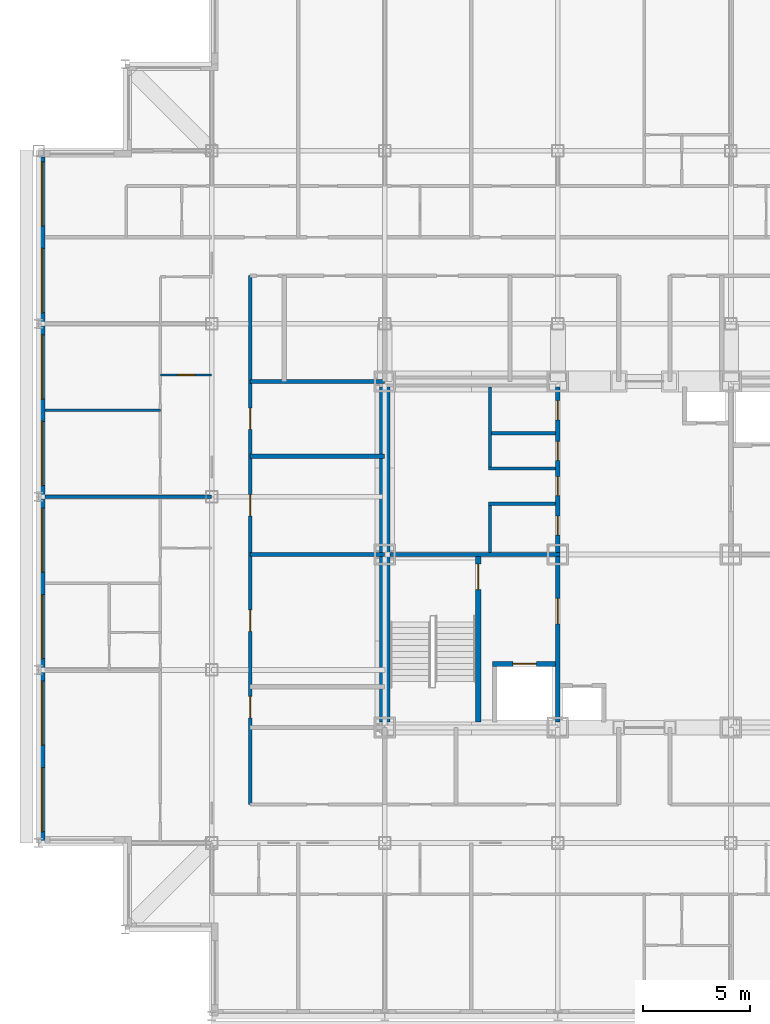
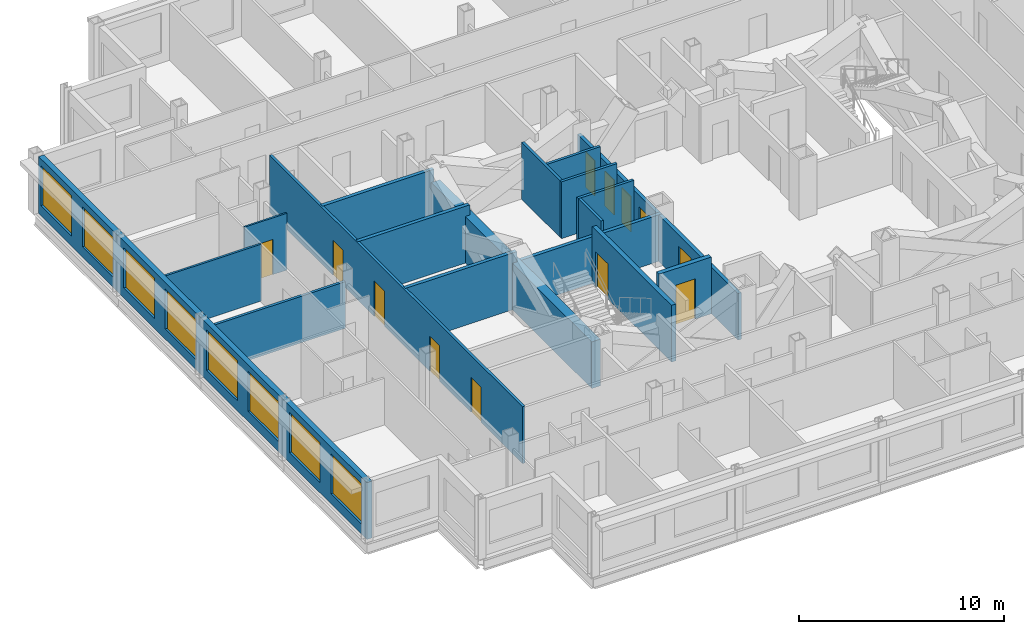
# One storey, part 6 of 12: 19 walls, 12 doors, 8 windows, 20 openings.
"""IFC4 building model written with IfcOpenShell, lengths in metres."""

from ifc_helpers import new_model, si_unit, direction, frame, frame_2d, origin, place, context, subcontext, project, spatial, rectangle, extrude, material, layer, layer_set, type_object, element, fill, save


model = new_model("IFC4")

# Units and contexts
model_context = context("Model", 3, precision=1e-05, world=origin(), true_north=direction((0.0, 1.0)))
body_context = subcontext(model_context, "Body", "Model", "MODEL_VIEW")
ifc_project = project(units=[si_unit("LENGTHUNIT", "METRE"), si_unit("AREAUNIT", "SQUARE_METRE"), si_unit("VOLUMEUNIT", "CUBIC_METRE"), si_unit("PLANEANGLEUNIT", "RADIAN"), si_unit("MASSUNIT", "GRAM", prefix="KILO")], contexts=[model_context])

# Site, building, storey
site_placement = place(None, origin())
site = spatial("IfcSite", under=ifc_project, at=site_placement, CompositionType="ELEMENT")
building_placement = place(site_placement, origin())
building = spatial("IfcBuilding", under=site, at=building_placement, Name="Kopane Lantern Tower", CompositionType="ELEMENT")
storey_placement = place(building_placement, frame((0.0, 0.0, 202.800048828125)))
storey = spatial("IfcBuildingStorey", under=building, at=storey_placement, Name="L52", CompositionType="ELEMENT", Elevation=202.800048828125)

# Wall
ifc_material_1 = material(Name="Gypsum board on steel studs", Category="steel")
ifc_layer_1 = layer(ifc_material_1, 0.1201171875)
ifc_layer_set_1 = layer_set([ifc_layer_1], Name="APARTMENT INTERNAL WALL 120")
wall_type_1 = type_object("IfcWallType", Name="APARTMENT INTERNAL WALL 120", PredefinedType="PARTITIONING", material=ifc_layer_set_1)
wall_1_placement = place(storey_placement, frame((5.699951171875, 39.14990234375, 0.0), z_axis=(0.0, 0.0, 1.0), x_axis=(-1.0, 0.0, 0.0)))
element("IfcWall", 1, at=wall_1_placement, inside=storey, type_object=wall_type_1, Name="Apartment Internal Wall 120 L52", PredefinedType="PARTITIONING", context=body_context, shape_type="SweptSolid", body=[
    extrude(rectangle(XDim=5.39990234375, YDim=0.1201171875, at=frame_2d((2.699951171875, 0.0))), origin(), (0.0, 0.0, 1.0), 3.389892578125),
])

# Wall, opening, door
ifc_material_2 = material(Name="Moisture-resistant board on steel studs", Category="steel")
ifc_layer_2 = layer(ifc_material_2, 0.10009765625)
ifc_layer_set_2 = layer_set([ifc_layer_2], Name="BATHROOM WALL 100")
wall_type_2 = type_object("IfcWallType", Name="BATHROOM WALL 100", PredefinedType="PARTITIONING", material=ifc_layer_set_2)
wall_2_placement = place(storey_placement, frame((8.10009765625, 40.800048828125, 0.0), z_axis=(0.0, 0.0, 1.0), x_axis=(-1.0, 0.0, 0.0)))
wall_2 = element("IfcWall", 2, at=wall_2_placement, inside=storey, type_object=wall_type_2, Name="Bathroom Wall 100 L52", PredefinedType="PARTITIONING", context=body_context, shape_type="SweptSolid", body=[
    extrude(rectangle(XDim=2.400146484375, YDim=0.10009765625, at=frame_2d((1.2001953125, 0.0))), origin(), (0.0, 0.0, 1.0), 3.389892578125),
])
opening_1_placement = place(wall_2_placement, frame((0.800048828125, 0.0, 0.0)))
opening_1 = element("IfcOpeningElement", 3, at=opening_1_placement, cuts=wall_2, Name="Opening L52-047", PredefinedType="OPENING", context=body_context, shape_type="SweptSolid", body=[
    extrude(rectangle(XDim=0.800048828125, YDim=2.10009765625, at=frame_2d((0.39990234375, 1.050048828125))), frame((0.0, 0.06005859375, 0.0), z_axis=(0.0, -1.0, 0.0), x_axis=(1.0, 0.0, 0.0)), (0.0, 0.0, 1.0), 0.1201171875),
])
ifc_material_3 = material(Name="Timber door set", Category="wood")
door_type_1 = type_object("IfcDoorType", Name="DOOR D2 800x2100", OperationType="SINGLE_SWING_LEFT", PredefinedType="DOOR", material=ifc_material_3)
door_1_placement = place(opening_1_placement, origin())
door_1 = element("IfcDoor", 4, at=door_1_placement, inside=storey, type_object=door_type_1, Name="Door L52-047", OperationType="SINGLE_SWING_RIGHT", OverallHeight=2.10009765625, OverallWidth=0.800048828125, PredefinedType="DOOR", context=body_context, shape_type="SweptSolid", body=[
    extrude(rectangle(XDim=0.800048828125, YDim=2.10009765625, at=frame_2d((0.39990234375, 1.050048828125))), frame((0.0, 0.02490234375, 0.0), z_axis=(0.0, -1.0, 0.0), x_axis=(1.0, 0.0, 0.0)), (0.0, 0.0, 1.0), 0.050048828125),
])
fill(opening_1, door_1)

# Walls
ifc_material_4 = material(Name="Gypsum shaft wall EI 120", Category="gypsum")
ifc_layer_3 = layer(ifc_material_4, 0.5)
ifc_layer_set_3 = layer_set([ifc_layer_3], Name="CORE PERIMETER WALL 500 EI 120")
wall_type_3 = type_object("IfcWallType", Name="CORE PERIMETER WALL 500 EI 120", PredefinedType="SOLIDWALL", material=ifc_layer_set_3)
wall_3_placement = place(storey_placement, frame((16.199951171875, 24.550048828125, 0.0), z_axis=(0.0, 0.0, 1.0), x_axis=(0.0, 1.0, 0.0)))
element("IfcWall", 5, at=wall_3_placement, inside=storey, type_object=wall_type_3, Name="Core shaft wall L52 PW", PredefinedType="SOLIDWALL", context=body_context, shape_type="SweptSolid", body=[
    extrude(rectangle(XDim=15.699951171875, YDim=0.5, at=frame_2d((7.85009765625, 0.0))), origin(), (0.0, 0.0, 1.0), 2.77783203125),
])
ifc_material_5 = material(Name="Gypsum partition EI 60", Category="gypsum")
ifc_layer_4 = layer(ifc_material_5, 0.14990234375)
ifc_layer_set_4 = layer_set([ifc_layer_4], Name="CORE ROOM PARTITION 150 EI 60")
wall_type_4 = type_object("IfcWallType", Name="CORE ROOM PARTITION 150 EI 60", PredefinedType="PARTITIONING", material=ifc_layer_set_4)
for number, where, z_axis, x_axis, name in (
    (6, (21.050048828125, 34.77490234375, 0.0), (0.0, 0.0, 1.0), (1.0, 0.0, 0.0), "Core room partition L52 WW1"),
    (7, (21.050048828125, 36.425048828125, 0.0), (0.0, 0.0, 1.0), (1.0, 0.0, 0.0), "Core room partition L52 WW2"),
):
    element("IfcWall", number, at=place(storey_placement, frame(where, z_axis=z_axis, x_axis=x_axis)), inside=storey, type_object=wall_type_4, Name=name, PredefinedType="PARTITIONING", context=body_context, shape_type="SweptSolid", body=[
        extrude(rectangle(XDim=3.14990234375, YDim=0.14990234375, at=frame_2d((1.574951171875, 0.0))), origin(), (0.0, 0.0, 1.0), 3.389892578125),
    ])
wall_4_placement = place(storey_placement, frame((21.199951171875, 38.074951171875, 0.0), z_axis=(0.0, 0.0, 1.0), x_axis=(1.0, 0.0, 0.0)))
element("IfcWall", 8, at=wall_4_placement, inside=storey, type_object=wall_type_4, Name="Core room partition L52 WW3", PredefinedType="PARTITIONING", context=body_context, shape_type="SweptSolid", body=[
    extrude(rectangle(XDim=3.0, YDim=0.14990234375, at=frame_2d((1.5, 0.0))), origin(), (0.0, 0.0, 1.0), 3.389892578125),
])
wall_5_placement = place(storey_placement, frame((21.125, 32.5, 0.0), z_axis=(0.0, 0.0, 1.0), x_axis=(0.0, 1.0, 0.0)))
element("IfcWall", 9, at=wall_5_placement, inside=storey, type_object=wall_type_4, Name="Core room partition L52 WWB0", PredefinedType="PARTITIONING", context=body_context, shape_type="SweptSolid", body=[
    extrude(rectangle(XDim=2.199951171875, YDim=0.14990234375, at=frame_2d((1.10009765625, 0.0))), origin(), (0.0, 0.0, 1.0), 3.389892578125),
])
wall_6_placement = place(storey_placement, frame((21.125, 36.5, 0.0), z_axis=(0.0, 0.0, 1.0), x_axis=(0.0, 1.0, 0.0)))
element("IfcWall", 10, at=wall_6_placement, inside=storey, type_object=wall_type_4, Name="Core room partition L52 WWB1", PredefinedType="PARTITIONING", context=body_context, shape_type="SweptSolid", body=[
    extrude(rectangle(XDim=3.75, YDim=0.14990234375, at=frame_2d((1.875, 0.0))), origin(), (0.0, 0.0, 1.0), 3.389892578125),
])

# Wall, openings, doors
ifc_material_6 = material(Name="Gypsum partition EI 60", Category="gypsum")
ifc_layer_5 = layer(ifc_material_6, 0.199951171875)
ifc_layer_set_5 = layer_set([ifc_layer_5], Name="CORE ROOM WALL 200 EI 60")
wall_type_5 = type_object("IfcWallType", Name="CORE ROOM WALL 200 EI 60", PredefinedType="PARTITIONING", material=ifc_layer_set_5)
wall_7_placement = place(storey_placement, frame((24.300048828125, 32.5, 0.0), z_axis=(0.0, 0.0, 1.0), x_axis=(0.0, 1.0, 0.0)))
wall_7 = element("IfcWall", 11, at=wall_7_placement, inside=storey, type_object=wall_type_5, Name="Core room wall L52 XW", PredefinedType="PARTITIONING", context=body_context, shape_type="SweptSolid", body=[
    extrude(rectangle(XDim=7.75, YDim=0.199951171875, at=frame_2d((3.875, 0.0))), origin(), (0.0, 0.0, 1.0), 2.77783203125),
])
opening_2_placement = place(wall_7_placement, frame((0.800048828125, 0.0, 0.0)))
opening_2 = element("IfcOpeningElement", 12, at=opening_2_placement, cuts=wall_7, Name="Opening 52.C30", PredefinedType="OPENING", context=body_context, shape_type="SweptSolid", body=[
    extrude(rectangle(XDim=0.89990234375, YDim=2.10009765625, at=frame_2d((0.449951171875, 1.050048828125))), frame((0.0, 0.10986328125, 0.0), z_axis=(0.0, -1.0, 0.0), x_axis=(1.0, 0.0, 0.0)), (0.0, 0.0, 1.0), 0.219970703125),
])
opening_3_placement = place(wall_7_placement, frame((2.64990234375, 0.0, 0.0)))
opening_3 = element("IfcOpeningElement", 13, at=opening_3_placement, cuts=wall_7, Name="Opening 52.C31", PredefinedType="OPENING", context=body_context, shape_type="SweptSolid", body=[
    extrude(rectangle(XDim=0.89990234375, YDim=2.10009765625, at=frame_2d((0.449951171875, 1.050048828125))), frame((0.0, 0.10986328125, 0.0), z_axis=(0.0, -1.0, 0.0), x_axis=(1.0, 0.0, 0.0)), (0.0, 0.0, 1.0), 0.219970703125),
])
opening_4_placement = place(wall_7_placement, frame((4.300048828125, 0.0, 0.0)))
opening_4 = element("IfcOpeningElement", 14, at=opening_4_placement, cuts=wall_7, Name="Opening 52.C32", PredefinedType="OPENING", context=body_context, shape_type="SweptSolid", body=[
    extrude(rectangle(XDim=0.89990234375, YDim=2.10009765625, at=frame_2d((0.449951171875, 1.050048828125))), frame((0.0, 0.10986328125, 0.0), z_axis=(0.0, -1.0, 0.0), x_axis=(1.0, 0.0, 0.0)), (0.0, 0.0, 1.0), 0.219970703125),
])
opening_5_placement = place(wall_7_placement, frame((6.199951171875, 0.0, 0.0)))
opening_5 = element("IfcOpeningElement", 15, at=opening_5_placement, cuts=wall_7, Name="Opening 52.C33", PredefinedType="OPENING", context=body_context, shape_type="SweptSolid", body=[
    extrude(rectangle(XDim=0.89990234375, YDim=2.10009765625, at=frame_2d((0.449951171875, 1.050048828125))), frame((0.0, 0.10986328125, 0.0), z_axis=(0.0, -1.0, 0.0), x_axis=(1.0, 0.0, 0.0)), (0.0, 0.0, 1.0), 0.219970703125),
])
ifc_material_7 = material(Name="Steel door set", Category="steel")
door_type_2 = type_object("IfcDoorType", Name="CORE ROOM DOOR 900x2100 FD60", OperationType="SINGLE_SWING_LEFT", PredefinedType="DOOR", material=ifc_material_7)
door_2_placement = place(opening_2_placement, origin())
door_2 = element("IfcDoor", 16, at=door_2_placement, inside=storey, type_object=door_type_2, Name="Door Refuse room L52", OperationType="SINGLE_SWING_RIGHT", OverallHeight=2.10009765625, OverallWidth=0.89990234375, PredefinedType="DOOR", context=body_context, shape_type="SweptSolid", body=[
    extrude(rectangle(XDim=0.89990234375, YDim=2.10009765625, at=frame_2d((0.449951171875, 1.050048828125))), frame((0.0, 0.02490234375, 0.0), z_axis=(0.0, -1.0, 0.0), x_axis=(1.0, 0.0, 0.0)), (0.0, 0.0, 1.0), 0.050048828125),
])
fill(opening_2, door_2)
door_3_placement = place(opening_3_placement, origin())
door_3 = element("IfcDoor", 17, at=door_3_placement, inside=storey, type_object=door_type_2, Name="Door Residents storage L52", OperationType="SINGLE_SWING_RIGHT", OverallHeight=2.10009765625, OverallWidth=0.89990234375, PredefinedType="DOOR", context=body_context, shape_type="SweptSolid", body=[
    extrude(rectangle(XDim=0.89990234375, YDim=2.10009765625, at=frame_2d((0.449951171875, 1.050048828125))), frame((0.0, 0.02490234375, 0.0), z_axis=(0.0, -1.0, 0.0), x_axis=(1.0, 0.0, 0.0)), (0.0, 0.0, 1.0), 0.050048828125),
])
fill(opening_3, door_3)
door_4_placement = place(opening_4_placement, origin())
door_4 = element("IfcDoor", 18, at=door_4_placement, inside=storey, type_object=door_type_2, Name="Door Cleaner store L52", OperationType="SINGLE_SWING_LEFT", OverallHeight=2.10009765625, OverallWidth=0.89990234375, PredefinedType="DOOR", context=body_context, shape_type="SweptSolid", body=[
    extrude(rectangle(XDim=0.89990234375, YDim=2.10009765625, at=frame_2d((0.449951171875, 1.050048828125))), frame((0.0, 0.02490234375, 0.0), z_axis=(0.0, -1.0, 0.0), x_axis=(1.0, 0.0, 0.0)), (0.0, 0.0, 1.0), 0.050048828125),
])
fill(opening_4, door_4)
door_5_placement = place(opening_5_placement, origin())
door_5 = element("IfcDoor", 19, at=door_5_placement, inside=storey, type_object=door_type_2, Name="Door IT room L52", OperationType="SINGLE_SWING_LEFT", OverallHeight=2.10009765625, OverallWidth=0.89990234375, PredefinedType="DOOR", context=body_context, shape_type="SweptSolid", body=[
    extrude(rectangle(XDim=0.89990234375, YDim=2.10009765625, at=frame_2d((0.449951171875, 1.050048828125))), frame((0.0, 0.02490234375, 0.0), z_axis=(0.0, -1.0, 0.0), x_axis=(1.0, 0.0, 0.0)), (0.0, 0.0, 1.0), 0.050048828125),
])
fill(opening_5, door_5)

# Wall, opening, door
ifc_material_8 = material(Name="Gypsum shaft wall EI 120", Category="gypsum")
ifc_layer_6 = layer(ifc_material_8, 0.25)
ifc_layer_set_6 = layer_set([ifc_layer_6], Name="CORE SHAFT WALL 250 EI 120")
wall_type_6 = type_object("IfcWallType", Name="CORE SHAFT WALL 250 EI 120", PredefinedType="SOLIDWALL", material=ifc_layer_set_6)
wall_8_placement = place(storey_placement, frame((20.574951171875, 24.550048828125, 0.0), z_axis=(0.0, 0.0, 1.0), x_axis=(0.0, 1.0, 0.0)))
wall_8 = element("IfcWall", 20, at=wall_8_placement, inside=storey, type_object=wall_type_6, Name="Core shaft wall L52 XST1", PredefinedType="SOLIDWALL", context=body_context, shape_type="SweptSolid", body=[
    extrude(rectangle(XDim=7.75, YDim=0.25, at=frame_2d((3.875, 0.0))), origin(), (0.0, 0.0, 1.0), 3.389892578125),
])
opening_6_placement = place(wall_8_placement, frame((6.199951171875, 0.0, 0.0)))
opening_6 = element("IfcOpeningElement", 21, at=opening_6_placement, cuts=wall_8, Name="Opening 52.SD1", PredefinedType="OPENING", context=body_context, shape_type="SweptSolid", body=[
    extrude(rectangle(XDim=1.199951171875, YDim=2.10009765625, at=frame_2d((0.60009765625, 1.050048828125))), frame((0.0, 0.135009765625, 0.0), z_axis=(0.0, -1.0, 0.0), x_axis=(1.0, 0.0, 0.0)), (0.0, 0.0, 1.0), 0.27001953125),
])
ifc_material_9 = material(Name="Steel door set", Category="steel")
door_type_3 = type_object("IfcDoorType", Name="STAIR DOOR 1200x2100 FD60S", OperationType="SINGLE_SWING_LEFT", PredefinedType="DOOR", material=ifc_material_9)
door_6_placement = place(opening_6_placement, origin())
door_6 = element("IfcDoor", 22, at=door_6_placement, inside=storey, type_object=door_type_3, Name="Stair door ST1 L52", OperationType="SINGLE_SWING_LEFT", OverallHeight=2.10009765625, OverallWidth=1.199951171875, PredefinedType="DOOR", context=body_context, shape_type="SweptSolid", body=[
    extrude(rectangle(XDim=1.199951171875, YDim=2.10009765625, at=frame_2d((0.60009765625, 1.050048828125))), frame((0.0, 0.02490234375, 0.0), z_axis=(0.0, -1.0, 0.0), x_axis=(1.0, 0.0, 0.0)), (0.0, 0.0, 1.0), 0.050048828125),
])
fill(opening_6, door_6)

wall_9_placement = place(storey_placement, frame((21.25, 27.27490234375, 0.0), z_axis=(0.0, 0.0, 1.0), x_axis=(1.0, 0.0, 0.0)))
wall_9 = element("IfcWall", 23, at=wall_9_placement, inside=storey, type_object=wall_type_6, Name="Core shaft wall L52 YLF1", PredefinedType="SOLIDWALL", context=body_context, shape_type="SweptSolid", body=[
    extrude(rectangle(XDim=2.949951171875, YDim=0.25, at=frame_2d((1.47509765625, 0.0))), origin(), (0.0, 0.0, 1.0), 3.389892578125),
])
opening_7_placement = place(wall_9_placement, frame((0.949951171875, 0.0, 0.0)))
opening_7 = element("IfcOpeningElement", 24, at=opening_7_placement, cuts=wall_9, Name="Opening 52.LD-LF1", PredefinedType="OPENING", context=body_context, shape_type="SweptSolid", body=[
    extrude(rectangle(XDim=1.10009765625, YDim=2.39990234375, at=frame_2d((0.550048828125, 1.199951171875))), frame((0.0, 0.135009765625, 0.0), z_axis=(0.0, -1.0, 0.0), x_axis=(1.0, 0.0, 0.0)), (0.0, 0.0, 1.0), 0.27001953125),
])
ifc_material_10 = material(Name="Steel door set", Category="steel")
door_type_4 = type_object("IfcDoorType", Name="LIFT LANDING DOOR 1100x2400 FD60", OperationType="DOUBLE_DOOR_SLIDING", PredefinedType="DOOR", material=ifc_material_10)
door_7_placement = place(opening_7_placement, origin())
door_7 = element("IfcDoor", 25, at=door_7_placement, inside=storey, type_object=door_type_4, Name="Landing door LF1 L52", OperationType="DOUBLE_DOOR_SLIDING", OverallHeight=2.39990234375, OverallWidth=1.10009765625, PredefinedType="DOOR", context=body_context, shape_type="SweptSolid", body=[
    extrude(rectangle(XDim=1.10009765625, YDim=2.39990234375, at=frame_2d((0.550048828125, 1.199951171875))), frame((0.0, 0.02490234375, 0.0), z_axis=(0.0, -1.0, 0.0), x_axis=(1.0, 0.0, 0.0)), (0.0, 0.0, 1.0), 0.050048828125),
])
fill(opening_7, door_7)

# Wall, openings, doors
ifc_material_11 = material(Name="Gypsum board on steel studs", Category="steel")
ifc_layer_7 = layer(ifc_material_11, 0.14990234375)
ifc_layer_set_7 = layer_set([ifc_layer_7], Name="CORRIDOR WALL 150 EI 60")
wall_type_7 = type_object("IfcWallType", Name="CORRIDOR WALL 150 EI 60", PredefinedType="PARTITIONING", material=ifc_layer_set_7)
wall_10_placement = place(storey_placement, frame((9.89990234375, 45.449951171875, 0.0), z_axis=(0.0, 0.0, 1.0), x_axis=(0.0, -1.0, 0.0)))
wall_10 = element("IfcWall", 26, at=wall_10_placement, inside=storey, type_object=wall_type_7, Name="Corridor Wall 150 Ei 60 L52", PredefinedType="PARTITIONING", context=body_context, shape_type="SweptSolid", body=[
    extrude(rectangle(XDim=24.75, YDim=0.14990234375, at=frame_2d((12.375, 0.0))), origin(), (0.0, 0.0, 1.0), 3.389892578125),
])
opening_8_placement = place(wall_10_placement, frame((19.697509765625, 0.0, 0.0)))
opening_8 = element("IfcOpeningElement", 27, at=opening_8_placement, cuts=wall_10, Name="Opening L52-001", PredefinedType="OPENING", context=body_context, shape_type="SweptSolid", body=[
    extrude(rectangle(XDim=1.0, YDim=2.10009765625, at=frame_2d((0.5, 1.050048828125))), frame((0.0, 0.0849609375, 0.0), z_axis=(0.0, -1.0, 0.0), x_axis=(1.0, 0.0, 0.0)), (0.0, 0.0, 1.0), 0.169921875),
])
opening_9_placement = place(wall_10_placement, frame((15.647705078125, 0.0, 0.0)))
opening_9 = element("IfcOpeningElement", 28, at=opening_9_placement, cuts=wall_10, Name="Opening L52-002", PredefinedType="OPENING", context=body_context, shape_type="SweptSolid", body=[
    extrude(rectangle(XDim=1.0, YDim=2.10009765625, at=frame_2d((0.5, 1.050048828125))), frame((0.0, 0.0849609375, 0.0), z_axis=(0.0, -1.0, 0.0), x_axis=(1.0, 0.0, 0.0)), (0.0, 0.0, 1.0), 0.169921875),
])
opening_10_placement = place(wall_10_placement, frame((10.248291015625, 0.0, 0.0)))
opening_10 = element("IfcOpeningElement", 29, at=opening_10_placement, cuts=wall_10, Name="Opening L52-003", PredefinedType="OPENING", context=body_context, shape_type="SweptSolid", body=[
    extrude(rectangle(XDim=1.0, YDim=2.10009765625, at=frame_2d((0.5, 1.050048828125))), frame((0.0, 0.0849609375, 0.0), z_axis=(0.0, -1.0, 0.0), x_axis=(1.0, 0.0, 0.0)), (0.0, 0.0, 1.0), 0.169921875),
])
opening_11_placement = place(wall_10_placement, frame((6.198486328125, 0.0, 0.0)))
opening_11 = element("IfcOpeningElement", 30, at=opening_11_placement, cuts=wall_10, Name="Opening L52-004", PredefinedType="OPENING", context=body_context, shape_type="SweptSolid", body=[
    extrude(rectangle(XDim=1.0, YDim=2.10009765625, at=frame_2d((0.5, 1.050048828125))), frame((0.0, 0.0849609375, 0.0), z_axis=(0.0, -1.0, 0.0), x_axis=(1.0, 0.0, 0.0)), (0.0, 0.0, 1.0), 0.169921875),
])
ifc_material_12 = material(Name="Steel door set", Category="steel")
door_type_5 = type_object("IfcDoorType", Name="DOOR D5 1000x2100 FD60", OperationType="SINGLE_SWING_LEFT", PredefinedType="DOOR", material=ifc_material_12)
door_8_placement = place(opening_8_placement, origin())
door_8 = element("IfcDoor", 31, at=door_8_placement, inside=storey, type_object=door_type_5, Name="Door L52-001", OperationType="SINGLE_SWING_RIGHT", OverallHeight=2.10009765625, OverallWidth=1.0, PredefinedType="DOOR", context=body_context, shape_type="SweptSolid", body=[
    extrude(rectangle(XDim=1.0, YDim=2.10009765625, at=frame_2d((0.5, 1.050048828125))), frame((0.0, 0.02490234375, 0.0), z_axis=(0.0, -1.0, 0.0), x_axis=(1.0, 0.0, 0.0)), (0.0, 0.0, 1.0), 0.050048828125),
])
fill(opening_8, door_8)
door_9_placement = place(opening_9_placement, origin())
door_9 = element("IfcDoor", 32, at=door_9_placement, inside=storey, type_object=door_type_5, Name="Door L52-002", OperationType="SINGLE_SWING_LEFT", OverallHeight=2.10009765625, OverallWidth=1.0, PredefinedType="DOOR", context=body_context, shape_type="SweptSolid", body=[
    extrude(rectangle(XDim=1.0, YDim=2.10009765625, at=frame_2d((0.5, 1.050048828125))), frame((0.0, 0.02490234375, 0.0), z_axis=(0.0, -1.0, 0.0), x_axis=(1.0, 0.0, 0.0)), (0.0, 0.0, 1.0), 0.050048828125),
])
fill(opening_9, door_9)
door_10_placement = place(opening_10_placement, origin())
door_10 = element("IfcDoor", 33, at=door_10_placement, inside=storey, type_object=door_type_5, Name="Door L52-003", OperationType="SINGLE_SWING_RIGHT", OverallHeight=2.10009765625, OverallWidth=1.0, PredefinedType="DOOR", context=body_context, shape_type="SweptSolid", body=[
    extrude(rectangle(XDim=1.0, YDim=2.10009765625, at=frame_2d((0.5, 1.050048828125))), frame((0.0, 0.02490234375, 0.0), z_axis=(0.0, -1.0, 0.0), x_axis=(1.0, 0.0, 0.0)), (0.0, 0.0, 1.0), 0.050048828125),
])
fill(opening_10, door_10)
door_11_placement = place(opening_11_placement, origin())
door_11 = element("IfcDoor", 34, at=door_11_placement, inside=storey, type_object=door_type_5, Name="Door L52-004", OperationType="SINGLE_SWING_LEFT", OverallHeight=2.10009765625, OverallWidth=1.0, PredefinedType="DOOR", context=body_context, shape_type="SweptSolid", body=[
    extrude(rectangle(XDim=1.0, YDim=2.10009765625, at=frame_2d((0.5, 1.050048828125))), frame((0.0, 0.02490234375, 0.0), z_axis=(0.0, -1.0, 0.0), x_axis=(1.0, 0.0, 0.0)), (0.0, 0.0, 1.0), 0.050048828125),
])
fill(opening_11, door_11)

# Wall
ifc_material_13 = material(Name="Gypsum board on steel studs", Category="steel")
ifc_layer_8 = layer(ifc_material_13, 0.14990234375)
ifc_layer_set_8 = layer_set([ifc_layer_8], Name="DEMISING WALL 150 EI 60")
wall_type_8 = type_object("IfcWallType", Name="DEMISING WALL 150 EI 60", PredefinedType="PARTITIONING", material=ifc_layer_set_8)
wall_11_placement = place(storey_placement, frame((8.10009765625, 35.10009765625, 0.0), z_axis=(0.0, 0.0, 1.0), x_axis=(-1.0, 0.0, 0.0)))
element("IfcWall", 35, at=wall_11_placement, inside=storey, type_object=wall_type_8, Name="Demising Wall 150 Ei 60 L52", PredefinedType="PARTITIONING", context=body_context, shape_type="SweptSolid", body=[
    extrude(rectangle(XDim=7.800048828125, YDim=0.14990234375, at=frame_2d((3.89990234375, 0.0))), origin(), (0.0, 0.0, 1.0), 2.77783203125),
])

# Wall, openings, windows
ifc_material_14 = material(Name="Terracotta rainscreen on light steel framing", Category="masonry")
ifc_layer_9 = layer(ifc_material_14, 0.300048828125)
ifc_layer_set_9 = layer_set([ifc_layer_9], Name="EXTERNAL WALL EW1 300 TERRACOTTA")
wall_type_9 = type_object("IfcWallType", Name="EXTERNAL WALL EW1 300 TERRACOTTA", PredefinedType="SOLIDWALL", material=ifc_layer_set_9)
wall_12_placement = place(storey_placement, frame((0.14990234375, 51.0, 0.0), z_axis=(0.0, 0.0, 1.0), x_axis=(0.0, -1.0, 0.0)))
wall_12 = element("IfcWall", 36, at=wall_12_placement, inside=storey, type_object=wall_type_9, Name="External wall W L52", PredefinedType="SOLIDWALL", context=body_context, shape_type="SweptSolid", body=[
    extrude(rectangle(XDim=32.10009765625, YDim=0.300048828125, at=frame_2d((16.050048828125, 0.0))), origin(), (0.0, 0.0, 1.0), 3.389892578125),
])
opening_12_placement = place(wall_12_placement, frame((0.22509765625, 0.0, 0.60009765625)))
opening_12 = element("IfcOpeningElement", 37, at=opening_12_placement, cuts=wall_12, Name="Opening WR300240", PredefinedType="OPENING", context=body_context, shape_type="SweptSolid", body=[
    extrude(rectangle(XDim=3.0, YDim=2.39990234375, at=frame_2d((1.5, 1.199951171875))), frame((0.0, 0.159912109375, 0.0), z_axis=(0.0, -1.0, 0.0), x_axis=(1.0, 0.0, 0.0)), (0.0, 0.0, 1.0), 0.320068359375),
])
opening_13_placement = place(wall_12_placement, frame((4.27490234375, 0.0, 0.60009765625)))
opening_13 = element("IfcOpeningElement", 38, at=opening_13_placement, cuts=wall_12, Name="Opening WR300240", PredefinedType="OPENING", context=body_context, shape_type="SweptSolid", body=[
    extrude(rectangle(XDim=3.0, YDim=2.39990234375, at=frame_2d((1.5, 1.199951171875))), frame((0.0, 0.159912109375, 0.0), z_axis=(0.0, -1.0, 0.0), x_axis=(1.0, 0.0, 0.0)), (0.0, 0.0, 1.0), 0.320068359375),
])
opening_14_placement = place(wall_12_placement, frame((8.324951171875, 0.0, 0.60009765625)))
opening_14 = element("IfcOpeningElement", 39, at=opening_14_placement, cuts=wall_12, Name="Opening WR300240", PredefinedType="OPENING", context=body_context, shape_type="SweptSolid", body=[
    extrude(rectangle(XDim=3.0, YDim=2.39990234375, at=frame_2d((1.5, 1.199951171875))), frame((0.0, 0.159912109375, 0.0), z_axis=(0.0, -1.0, 0.0), x_axis=(1.0, 0.0, 0.0)), (0.0, 0.0, 1.0), 0.320068359375),
])
opening_15_placement = place(wall_12_placement, frame((12.375, 0.0, 0.60009765625)))
opening_15 = element("IfcOpeningElement", 40, at=opening_15_placement, cuts=wall_12, Name="Opening WR300240", PredefinedType="OPENING", context=body_context, shape_type="SweptSolid", body=[
    extrude(rectangle(XDim=3.0, YDim=2.39990234375, at=frame_2d((1.5, 1.199951171875))), frame((0.0, 0.159912109375, 0.0), z_axis=(0.0, -1.0, 0.0), x_axis=(1.0, 0.0, 0.0)), (0.0, 0.0, 1.0), 0.320068359375),
])
opening_16_placement = place(wall_12_placement, frame((16.425048828125, 0.0, 0.60009765625)))
opening_16 = element("IfcOpeningElement", 41, at=opening_16_placement, cuts=wall_12, Name="Opening WR300240", PredefinedType="OPENING", context=body_context, shape_type="SweptSolid", body=[
    extrude(rectangle(XDim=3.0, YDim=2.39990234375, at=frame_2d((1.5, 1.199951171875))), frame((0.0, 0.159912109375, 0.0), z_axis=(0.0, -1.0, 0.0), x_axis=(1.0, 0.0, 0.0)), (0.0, 0.0, 1.0), 0.320068359375),
])
opening_17_placement = place(wall_12_placement, frame((20.47509765625, 0.0, 0.60009765625)))
opening_17 = element("IfcOpeningElement", 42, at=opening_17_placement, cuts=wall_12, Name="Opening WR300240", PredefinedType="OPENING", context=body_context, shape_type="SweptSolid", body=[
    extrude(rectangle(XDim=3.0, YDim=2.39990234375, at=frame_2d((1.5, 1.199951171875))), frame((0.0, 0.159912109375, 0.0), z_axis=(0.0, -1.0, 0.0), x_axis=(1.0, 0.0, 0.0)), (0.0, 0.0, 1.0), 0.320068359375),
])
opening_18_placement = place(wall_12_placement, frame((24.52490234375, 0.0, 0.60009765625)))
opening_18 = element("IfcOpeningElement", 43, at=opening_18_placement, cuts=wall_12, Name="Opening WR300240", PredefinedType="OPENING", context=body_context, shape_type="SweptSolid", body=[
    extrude(rectangle(XDim=3.0, YDim=2.39990234375, at=frame_2d((1.5, 1.199951171875))), frame((0.0, 0.159912109375, 0.0), z_axis=(0.0, -1.0, 0.0), x_axis=(1.0, 0.0, 0.0)), (0.0, 0.0, 1.0), 0.320068359375),
])
opening_19_placement = place(wall_12_placement, frame((28.574951171875, 0.0, 0.60009765625)))
opening_19 = element("IfcOpeningElement", 44, at=opening_19_placement, cuts=wall_12, Name="Opening WR300240", PredefinedType="OPENING", context=body_context, shape_type="SweptSolid", body=[
    extrude(rectangle(XDim=3.0, YDim=2.39990234375, at=frame_2d((1.5, 1.199951171875))), frame((0.0, 0.159912109375, 0.0), z_axis=(0.0, -1.0, 0.0), x_axis=(1.0, 0.0, 0.0)), (0.0, 0.0, 1.0), 0.320068359375),
])
ifc_material_15 = material(Name="Aluminium and clear glass", Category="aluminium")
window_type = type_object("IfcWindowType", Name="RIBBON WINDOW WR300240 3000x2400", PartitioningType="SINGLE_PANEL", PredefinedType="WINDOW", material=ifc_material_15)
window_1_placement = place(opening_12_placement, origin())
window_1 = element("IfcWindow", 45, at=window_1_placement, inside=storey, type_object=window_type, Name="Window W L52", OverallHeight=2.39990234375, OverallWidth=3.0, PartitioningType="SINGLE_PANEL", PredefinedType="WINDOW", context=body_context, shape_type="SweptSolid", body=[
    extrude(rectangle(XDim=3.0, YDim=2.39990234375, at=frame_2d((1.5, 1.199951171875))), frame((0.0, 0.030029296875, 0.0), z_axis=(0.0, -1.0, 0.0), x_axis=(1.0, 0.0, 0.0)), (0.0, 0.0, 1.0), 0.06005859375),
])
fill(opening_12, window_1)
window_2_placement = place(opening_13_placement, origin())
window_2 = element("IfcWindow", 46, at=window_2_placement, inside=storey, type_object=window_type, Name="Window W L52", OverallHeight=2.39990234375, OverallWidth=3.0, PartitioningType="SINGLE_PANEL", PredefinedType="WINDOW", context=body_context, shape_type="SweptSolid", body=[
    extrude(rectangle(XDim=3.0, YDim=2.39990234375, at=frame_2d((1.5, 1.199951171875))), frame((0.0, 0.030029296875, 0.0), z_axis=(0.0, -1.0, 0.0), x_axis=(1.0, 0.0, 0.0)), (0.0, 0.0, 1.0), 0.06005859375),
])
fill(opening_13, window_2)
window_3_placement = place(opening_14_placement, origin())
window_3 = element("IfcWindow", 47, at=window_3_placement, inside=storey, type_object=window_type, Name="Window W L52", OverallHeight=2.39990234375, OverallWidth=3.0, PartitioningType="SINGLE_PANEL", PredefinedType="WINDOW", context=body_context, shape_type="SweptSolid", body=[
    extrude(rectangle(XDim=3.0, YDim=2.39990234375, at=frame_2d((1.5, 1.199951171875))), frame((0.0, 0.030029296875, 0.0), z_axis=(0.0, -1.0, 0.0), x_axis=(1.0, 0.0, 0.0)), (0.0, 0.0, 1.0), 0.06005859375),
])
fill(opening_14, window_3)
window_4_placement = place(opening_15_placement, origin())
window_4 = element("IfcWindow", 48, at=window_4_placement, inside=storey, type_object=window_type, Name="Window W L52", OverallHeight=2.39990234375, OverallWidth=3.0, PartitioningType="SINGLE_PANEL", PredefinedType="WINDOW", context=body_context, shape_type="SweptSolid", body=[
    extrude(rectangle(XDim=3.0, YDim=2.39990234375, at=frame_2d((1.5, 1.199951171875))), frame((0.0, 0.030029296875, 0.0), z_axis=(0.0, -1.0, 0.0), x_axis=(1.0, 0.0, 0.0)), (0.0, 0.0, 1.0), 0.06005859375),
])
fill(opening_15, window_4)
window_5_placement = place(opening_16_placement, origin())
window_5 = element("IfcWindow", 49, at=window_5_placement, inside=storey, type_object=window_type, Name="Window W L52", OverallHeight=2.39990234375, OverallWidth=3.0, PartitioningType="SINGLE_PANEL", PredefinedType="WINDOW", context=body_context, shape_type="SweptSolid", body=[
    extrude(rectangle(XDim=3.0, YDim=2.39990234375, at=frame_2d((1.5, 1.199951171875))), frame((0.0, 0.030029296875, 0.0), z_axis=(0.0, -1.0, 0.0), x_axis=(1.0, 0.0, 0.0)), (0.0, 0.0, 1.0), 0.06005859375),
])
fill(opening_16, window_5)
window_6_placement = place(opening_17_placement, origin())
window_6 = element("IfcWindow", 50, at=window_6_placement, inside=storey, type_object=window_type, Name="Window W L52", OverallHeight=2.39990234375, OverallWidth=3.0, PartitioningType="SINGLE_PANEL", PredefinedType="WINDOW", context=body_context, shape_type="SweptSolid", body=[
    extrude(rectangle(XDim=3.0, YDim=2.39990234375, at=frame_2d((1.5, 1.199951171875))), frame((0.0, 0.030029296875, 0.0), z_axis=(0.0, -1.0, 0.0), x_axis=(1.0, 0.0, 0.0)), (0.0, 0.0, 1.0), 0.06005859375),
])
fill(opening_17, window_6)
window_7_placement = place(opening_18_placement, origin())
window_7 = element("IfcWindow", 51, at=window_7_placement, inside=storey, type_object=window_type, Name="Window W L52", OverallHeight=2.39990234375, OverallWidth=3.0, PartitioningType="SINGLE_PANEL", PredefinedType="WINDOW", context=body_context, shape_type="SweptSolid", body=[
    extrude(rectangle(XDim=3.0, YDim=2.39990234375, at=frame_2d((1.5, 1.199951171875))), frame((0.0, 0.030029296875, 0.0), z_axis=(0.0, -1.0, 0.0), x_axis=(1.0, 0.0, 0.0)), (0.0, 0.0, 1.0), 0.06005859375),
])
fill(opening_18, window_7)
window_8_placement = place(opening_19_placement, origin())
window_8 = element("IfcWindow", 52, at=window_8_placement, inside=storey, type_object=window_type, Name="Window W L52", OverallHeight=2.39990234375, OverallWidth=3.0, PartitioningType="SINGLE_PANEL", PredefinedType="WINDOW", context=body_context, shape_type="SweptSolid", body=[
    extrude(rectangle(XDim=3.0, YDim=2.39990234375, at=frame_2d((1.5, 1.199951171875))), frame((0.0, 0.030029296875, 0.0), z_axis=(0.0, -1.0, 0.0), x_axis=(1.0, 0.0, 0.0)), (0.0, 0.0, 1.0), 0.06005859375),
])
fill(opening_19, window_8)

# Walls
ifc_material_16 = material(Name="Concrete masonry", Category="masonry")
ifc_layer_10 = layer(ifc_material_16, 0.199951171875)
ifc_layer_set_10 = layer_set([ifc_layer_10], Name="PLANT ROOM WALL 200 EI 120")
wall_type_10 = type_object("IfcWallType", Name="PLANT ROOM WALL 200 EI 120", PredefinedType="SOLIDWALL", material=ifc_layer_set_10)
for number, where, z_axis, x_axis, name in (
    (53, (9.89990234375, 32.39990234375, 0.0), (0.0, 0.0, 1.0), (1.0, 0.0, 0.0), "Plant Room Wall 200 Ei 120 L52"),
    (54, (9.89990234375, 37.003173828125, 0.0), (0.0, 0.0, 1.0), (1.0, 0.0, 0.0), "Plant Room Wall 200 Ei 120 L52"),
    (55, (9.89990234375, 40.5, 0.0), (0.0, 0.0, 1.0), (1.0, 0.0, 0.0), "Plant Room Wall 200 Ei 120 L52"),
):
    element("IfcWall", number, at=place(storey_placement, frame(where, z_axis=z_axis, x_axis=x_axis)), inside=storey, type_object=wall_type_10, Name=name, PredefinedType="SOLIDWALL", context=body_context, shape_type="SweptSolid", body=[
        extrude(rectangle(XDim=6.300048828125, YDim=0.199951171875, at=frame_2d((3.14990234375, 0.0))), origin(), (0.0, 0.0, 1.0), 3.389892578125),
    ])
ifc_material_17 = material(Name="Gypsum shaft wall EI 120", Category="gypsum")
ifc_layer_11 = layer(ifc_material_17, 0.199951171875)
ifc_layer_set_11 = layer_set([ifc_layer_11], Name="SHAFT WALL 200 EI 120")
wall_type_11 = type_object("IfcWallType", Name="SHAFT WALL 200 EI 120", PredefinedType="SOLIDWALL", material=ifc_layer_set_11)
wall_13_placement = place(storey_placement, frame((16.449951171875, 32.39990234375, 0.0), z_axis=(0.0, 0.0, 1.0), x_axis=(1.0, 0.0, 0.0)))
element("IfcWall", 56, at=wall_13_placement, inside=storey, type_object=wall_type_11, Name="Core shaft wall L52 Y324W", PredefinedType="SOLIDWALL", context=body_context, shape_type="SweptSolid", body=[
    extrude(rectangle(XDim=7.949951171875, YDim=0.199951171875, at=frame_2d((3.97509765625, 0.0))), origin(), (0.0, 0.0, 1.0), 2.77783203125),
])

# Wall, opening, door
wall_14_placement = place(storey_placement, frame((24.300048828125, 24.550048828125, 0.0), z_axis=(0.0, 0.0, 1.0), x_axis=(0.0, 1.0, 0.0)))
wall_14 = element("IfcWall", 57, at=wall_14_placement, inside=storey, type_object=wall_type_11, Name="Core shaft wall L52 X243", PredefinedType="SOLIDWALL", context=body_context, shape_type="SweptSolid", body=[
    extrude(rectangle(XDim=7.75, YDim=0.199951171875, at=frame_2d((3.875, 0.0))), origin(), (0.0, 0.0, 1.0), 2.77783203125),
])
opening_20_placement = place(wall_14_placement, frame((4.60009765625, 0.0, 0.0)))
opening_20 = element("IfcOpeningElement", 58, at=opening_20_placement, cuts=wall_14, Name="Opening 52.FL1", PredefinedType="OPENING", context=body_context, shape_type="SweptSolid", body=[
    extrude(rectangle(XDim=1.199951171875, YDim=2.10009765625, at=frame_2d((0.60009765625, 1.050048828125))), frame((0.0, 0.10986328125, 0.0), z_axis=(0.0, -1.0, 0.0), x_axis=(1.0, 0.0, 0.0)), (0.0, 0.0, 1.0), 0.219970703125),
])
ifc_material_18 = material(Name="Steel door set", Category="steel")
door_type_6 = type_object("IfcDoorType", Name="FIREFIGHTING LOBBY DOOR 1200x2100 FD60S", OperationType="SINGLE_SWING_RIGHT", PredefinedType="DOOR", material=ifc_material_18)
door_12_placement = place(opening_20_placement, origin())
door_12 = element("IfcDoor", 59, at=door_12_placement, inside=storey, type_object=door_type_6, Name="Firefighting lobby door FL1 L52", OperationType="SINGLE_SWING_LEFT", OverallHeight=2.10009765625, OverallWidth=1.199951171875, PredefinedType="DOOR", context=body_context, shape_type="SweptSolid", body=[
    extrude(rectangle(XDim=1.199951171875, YDim=2.10009765625, at=frame_2d((0.60009765625, 1.050048828125))), frame((0.0, 0.02490234375, 0.0), z_axis=(0.0, -1.0, 0.0), x_axis=(1.0, 0.0, 0.0)), (0.0, 0.0, 1.0), 0.050048828125),
])
fill(opening_20, door_12)

save(model, "model.ifc")
